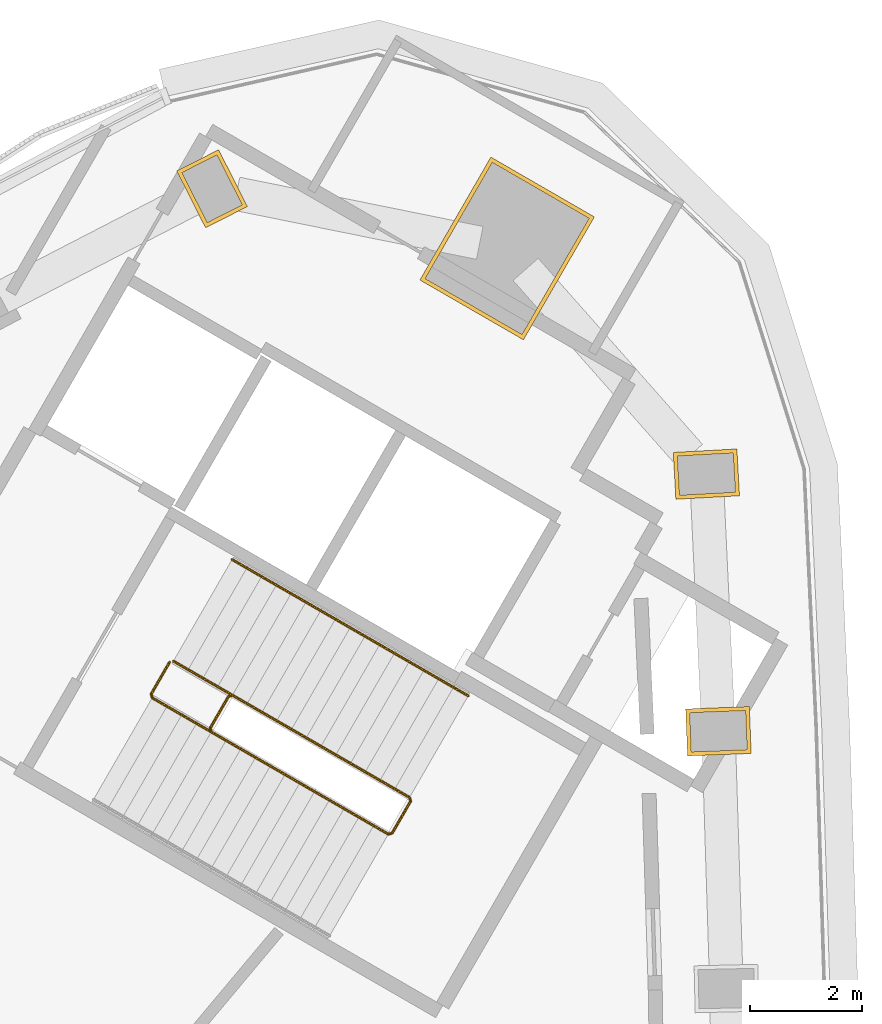
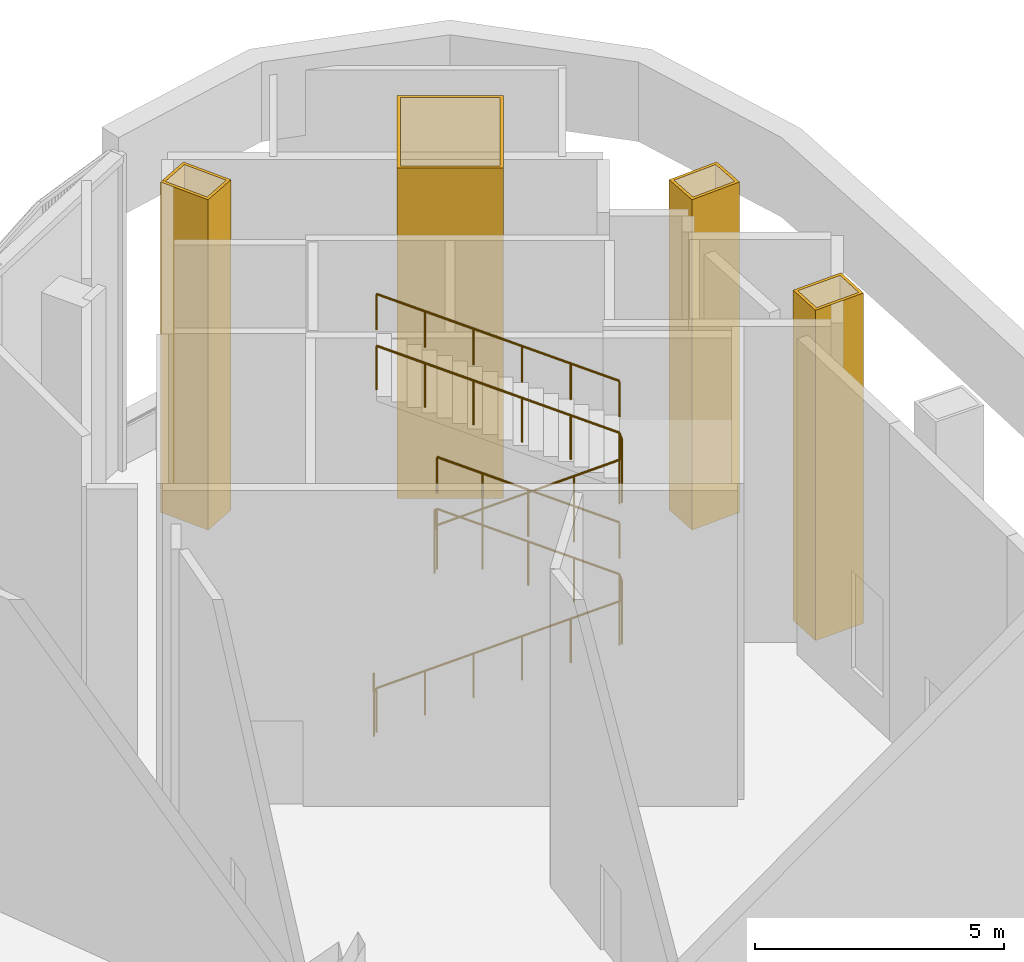
# One storey, part 11 of 11: 4 coverings, 3 railings.
"""IFC4 building model written with IfcOpenShell, lengths in metres."""

from ifc_helpers import new_model, si_unit, direction, frame, frame_2d, origin, origin_2d, place, context, subcontext, project, spatial, rectangle, circle, extrude, source, transform, mapped, material, layer, layer_set, type_object, element, save


model = new_model("IFC4")

# Units and contexts
model_context = context("Model", 3, precision=1e-05, world=origin(), true_north=direction((0.0, 1.0)))
body_context = subcontext(model_context, "Body", "Model", "MODEL_VIEW")
ifc_project = project(units=[si_unit("LENGTHUNIT", "METRE"), si_unit("AREAUNIT", "SQUARE_METRE"), si_unit("VOLUMEUNIT", "CUBIC_METRE"), si_unit("PLANEANGLEUNIT", "RADIAN"), si_unit("MASSUNIT", "GRAM", prefix="KILO")], contexts=[model_context])

# Site, building, storey
site_placement = place(None, origin())
site = spatial("IfcSite", under=ifc_project, at=site_placement, CompositionType="ELEMENT")
building_placement = place(site_placement, origin())
building = spatial("IfcBuilding", under=site, at=building_placement, Name="Tamra Quay Hotel Tower", CompositionType="ELEMENT")
storey_placement = place(building_placement, frame((0.0, 0.0, 312.60009765625)))
storey = spatial("IfcBuildingStorey", under=building, at=storey_placement, Name="L78", CompositionType="ELEMENT", Elevation=312.60009765625)

# Railings
ifc_material_1 = material(Name="Stair guard 1100")
railing_type_1 = type_object("IfcRailingType", Name="Stair guard 1100", PredefinedType="GUARDRAIL", material=ifc_material_1)
railing_1_placement = place(storey_placement, frame((5.595458984375, 12.751953125, 0.0)))
element("IfcRailing", 1, at=railing_1_placement, inside=storey, type_object=railing_type_1, Name="GR", PredefinedType="GUARDRAIL", context=body_context, shape_type="SweptSolid", body=[
    extrude(circle(Radius=0.02392578125, at=origin_2d()), frame((0.0, 0.0, 1.076171875), z_axis=(-0.499765215335, -0.866160914346, 0.0), x_axis=(0.866160914346, -0.499765215335, 0.0)), (0.0, 0.0, 1.0), 0.658935546875),
    extrude(circle(Radius=0.02392578125, at=origin_2d()), frame((-0.329345703125, -0.57080078125, 1.076171875), z_axis=(0.121413596357, -0.451658578447, 0.883890981476), x_axis=(0.965715946433, 0.259601060869, 0.0)), (0.0, 0.0, 1.0), 0.15087890625),
    extrude(circle(Radius=0.02392578125, at=origin_2d()), frame((-0.31103515625, -0.638916015625, 1.20947265625), z_axis=(0.793495266015, -0.458173609695, 0.40055237634), x_axis=(0.500040029196, 0.866002291684, 0.0)), (0.0, 0.0, 1.0), 5.325927734375),
    extrude(circle(Radius=0.02392578125, at=origin_2d()), frame((3.9150390625, -3.0791015625, 3.3427734375), z_axis=(0.965948051503, 0.258736085224, 0.0), x_axis=(-0.258736085224, 0.965948051503, 0.0)), (0.0, 0.0, 1.0), 0.07080078125),
    extrude(circle(Radius=0.02392578125, at=origin_2d()), frame((3.9833984375, -3.060791015625, 3.3427734375), z_axis=(0.500043078269, 0.866000531106, 0.0), x_axis=(-0.866000531106, 0.500043078269, 0.0)), (0.0, 0.0, 1.0), 0.6591796875),
    extrude(circle(Radius=0.02392578125, at=origin_2d()), frame((4.31298828125, -2.489990234375, 3.3427734375), z_axis=(-0.121324761295, 0.4529457755, 0.883244262225), x_axis=(-0.965948051503, -0.258736085224, 0.0)), (0.0, 0.0, 1.0), 0.15087890625),
    extrude(circle(Radius=0.02392578125, at=origin_2d()), frame((4.294677734375, -2.421630859375, 3.47607421875), z_axis=(-0.793524644253, 0.458096526895, 0.400582339863), x_axis=(-0.499963050397, -0.866046735597, 0.0)), (0.0, 0.0, 1.0), 3.994384765625),
    extrude(circle(Radius=0.02392578125, at=origin_2d()), frame((1.125, -0.591796875, 5.076171875), z_axis=(-0.965948051503, -0.258736085224, 0.0), x_axis=(0.258736085224, -0.965948051503, 0.0)), (0.0, 0.0, 1.0), 0.07080078125),
    extrude(circle(Radius=0.02392578125, at=origin_2d()), frame((1.056640625, -0.610107421875, 5.076171875), z_axis=(-0.500203519255, -0.865907869998, 0.0), x_axis=(0.865907869998, -0.500203519255, 0.0)), (0.0, 0.0, 1.0), 0.658935546875),
    extrude(circle(Radius=0.02392578125, at=origin_2d()), frame((0.72705078125, -1.1806640625, 5.076171875), z_axis=(0.121324761295, -0.4529457755, 0.883244262225), x_axis=(0.965948051503, 0.258736085224, 0.0)), (0.0, 0.0, 1.0), 0.15087890625),
    extrude(circle(Radius=0.02392578125, at=origin_2d()), frame((0.745361328125, -1.2490234375, 5.20947265625), z_axis=(0.793521851839, -0.458156034922, 0.400519810144), x_axis=(0.500013080017, 0.866017851902, 0.0)), (0.0, 0.0, 1.0), 3.994384765625),
    extrude(circle(Radius=0.02392578125, at=origin_2d()), frame((3.9150390625, -3.0791015625, 6.80908203125), z_axis=(0.965948051503, 0.258736085224, 0.0), x_axis=(-0.258736085224, 0.965948051503, 0.0)), (0.0, 0.0, 1.0), 0.07080078125),
    extrude(circle(Radius=0.02392578125, at=origin_2d()), frame((3.9833984375, -3.060791015625, 6.80908203125), z_axis=(0.500043078269, 0.866000531106, 0.0), x_axis=(-0.866000531106, 0.500043078269, 0.0)), (0.0, 0.0, 1.0), 0.6591796875),
    extrude(circle(Radius=0.02392578125, at=origin_2d()), frame((4.31298828125, -2.489990234375, 6.80908203125), z_axis=(-0.121324761295, 0.4529457755, 0.883244262225), x_axis=(-0.965948051503, -0.258736085224, 0.0)), (0.0, 0.0, 1.0), 0.15087890625),
    extrude(circle(Radius=0.02392578125, at=origin_2d()), frame((4.294677734375, -2.421630859375, 6.9423828125), z_axis=(-0.793514336887, 0.458112314878, 0.400584702793), x_axis=(-0.499980844995, -0.866036462649, 0.0)), (0.0, 0.0, 1.0), 5.326171875),
    extrude(circle(Radius=0.02099609375, at=origin_2d()), origin(), (0.0, 0.0, 1.0), 1.052001953125),
    extrude(circle(Radius=0.02099609375, at=origin_2d()), frame((-0.329345703125, -0.57080078125, 0.0)), (0.0, 0.0, 1.0), 1.052001953125),
    extrude(circle(Radius=0.02099609375, at=origin_2d()), frame((-0.31103515625, -0.638916015625, 0.13330078125)), (0.0, 0.0, 1.0), 1.052001953125),
    extrude(circle(Radius=0.02099609375, at=origin_2d()), frame((0.5341796875, -1.126953125, 0.56005859375)), (0.0, 0.0, 1.0), 1.052001953125),
    extrude(circle(Radius=0.02099609375, at=origin_2d()), frame((1.37939453125, -1.614990234375, 0.986572265625)), (0.0, 0.0, 1.0), 1.052001953125),
    extrude(circle(Radius=0.02099609375, at=origin_2d()), frame((2.224609375, -2.10302734375, 1.413330078125)), (0.0, 0.0, 1.0), 1.052001953125),
    extrude(circle(Radius=0.02099609375, at=origin_2d()), frame((3.06982421875, -2.591064453125, 1.83984375)), (0.0, 0.0, 1.0), 1.052001953125),
    extrude(circle(Radius=0.02099609375, at=origin_2d()), frame((3.9150390625, -3.0791015625, 2.2666015625)), (0.0, 0.0, 1.0), 1.052001953125),
    extrude(circle(Radius=0.02099609375, at=origin_2d()), frame((3.9833984375, -3.060791015625, 2.2666015625)), (0.0, 0.0, 1.0), 1.052001953125),
    extrude(circle(Radius=0.02099609375, at=origin_2d()), frame((4.31298828125, -2.489990234375, 2.2666015625)), (0.0, 0.0, 1.0), 1.052001953125),
    extrude(circle(Radius=0.02099609375, at=origin_2d()), frame((4.294677734375, -2.421630859375, 2.39990234375)), (0.0, 0.0, 1.0), 1.052001953125),
    extrude(circle(Radius=0.02099609375, at=origin_2d()), frame((3.502197265625, -1.964111328125, 2.7998046875)), (0.0, 0.0, 1.0), 1.052001953125),
    extrude(circle(Radius=0.02099609375, at=origin_2d()), frame((2.7099609375, -1.5068359375, 3.199951171875)), (0.0, 0.0, 1.0), 1.052001953125),
    extrude(circle(Radius=0.02099609375, at=origin_2d()), frame((1.91748046875, -1.04931640625, 3.60009765625)), (0.0, 0.0, 1.0), 1.052001953125),
    extrude(circle(Radius=0.02099609375, at=origin_2d()), frame((1.125, -0.591796875, 4.0)), (0.0, 0.0, 1.0), 1.052001953125),
    extrude(circle(Radius=0.02099609375, at=origin_2d()), frame((1.056640625, -0.610107421875, 4.0)), (0.0, 0.0, 1.0), 1.052001953125),
    extrude(circle(Radius=0.02099609375, at=origin_2d()), frame((0.72705078125, -1.1806640625, 4.0)), (0.0, 0.0, 1.0), 1.052001953125),
    extrude(circle(Radius=0.02099609375, at=origin_2d()), frame((0.745361328125, -1.2490234375, 4.13330078125)), (0.0, 0.0, 1.0), 1.052001953125),
    extrude(circle(Radius=0.02099609375, at=origin_2d()), frame((1.537841796875, -1.70654296875, 4.533203125)), (0.0, 0.0, 1.0), 1.052001953125),
    extrude(circle(Radius=0.02099609375, at=origin_2d()), frame((2.330078125, -2.1640625, 4.93310546875)), (0.0, 0.0, 1.0), 1.052001953125),
    extrude(circle(Radius=0.02099609375, at=origin_2d()), frame((3.12255859375, -2.62158203125, 5.333251953125)), (0.0, 0.0, 1.0), 1.052001953125),
    extrude(circle(Radius=0.02099609375, at=origin_2d()), frame((3.9150390625, -3.0791015625, 5.733154296875)), (0.0, 0.0, 1.0), 1.052001953125),
    extrude(circle(Radius=0.02099609375, at=origin_2d()), frame((3.9833984375, -3.060791015625, 5.733154296875)), (0.0, 0.0, 1.0), 1.052001953125),
    extrude(circle(Radius=0.02099609375, at=origin_2d()), frame((4.31298828125, -2.489990234375, 5.733154296875)), (0.0, 0.0, 1.0), 1.052001953125),
    extrude(circle(Radius=0.02099609375, at=origin_2d()), frame((4.294677734375, -2.421630859375, 5.866455078125)), (0.0, 0.0, 1.0), 1.052001953125),
    extrude(circle(Radius=0.02099609375, at=origin_2d()), frame((3.449462890625, -1.93359375, 6.293212890625)), (0.0, 0.0, 1.0), 1.052001953125),
    extrude(circle(Radius=0.02099609375, at=origin_2d()), frame((2.604248046875, -1.445556640625, 6.719970703125)), (0.0, 0.0, 1.0), 1.052001953125),
    extrude(circle(Radius=0.02099609375, at=origin_2d()), frame((1.7587890625, -0.957763671875, 7.146484375)), (0.0, 0.0, 1.0), 1.052001953125),
    extrude(circle(Radius=0.02099609375, at=origin_2d()), frame((0.91357421875, -0.4697265625, 7.5732421875)), (0.0, 0.0, 1.0), 1.052001953125),
    extrude(circle(Radius=0.02099609375, at=origin_2d()), frame((0.068359375, 0.018310546875, 8.0)), (0.0, 0.0, 1.0), 1.052001953125),
])
ifc_material_2 = material(Name="Stair handrail 900")
railing_type_2 = type_object("IfcRailingType", Name="Stair handrail 900", PredefinedType="HANDRAIL", material=ifc_material_2)
railing_2_placement = place(storey_placement, frame((10.93994140625, 12.14892578125, 2.39990234375)))
element("IfcRailing", 2, at=railing_2_placement, inside=storey, type_object=railing_type_2, Name="HR", PredefinedType="HANDRAIL", context=body_context, shape_type="SweptSolid", body=[
    extrude(circle(Radius=0.02392578125, at=origin_2d()), frame((0.0, 0.0, 0.8759765625), z_axis=(-0.793479788667, 0.458167038657, 0.400590551142), x_axis=(-0.500041965584, -0.866001173587, 0.0)), (0.0, 0.0, 1.0), 3.994384765625),
    extrude(circle(Radius=0.02099609375, at=origin_2d()), origin(), (0.0, 0.0, 1.0), 0.851806640625),
    extrude(circle(Radius=0.02099609375, at=origin_2d()), frame((-0.79248046875, 0.45751953125, 0.39990234375)), (0.0, 0.0, 1.0), 0.851806640625),
    extrude(circle(Radius=0.02099609375, at=origin_2d()), frame((-1.584716796875, 0.9150390625, 0.800048828125)), (0.0, 0.0, 1.0), 0.851806640625),
    extrude(circle(Radius=0.02099609375, at=origin_2d()), frame((-2.376953125, 1.37255859375, 1.2001953125)), (0.0, 0.0, 1.0), 0.851806640625),
    extrude(circle(Radius=0.02099609375, at=origin_2d()), frame((-3.16943359375, 1.830078125, 1.60009765625)), (0.0, 0.0, 1.0), 0.851806640625),
])
railing_3_placement = place(storey_placement, frame((10.93994140625, 12.14892578125, 5.866455078125)))
element("IfcRailing", 3, at=railing_3_placement, inside=storey, type_object=railing_type_2, Name="HR", PredefinedType="HANDRAIL", context=body_context, shape_type="SweptSolid", body=[
    extrude(circle(Radius=0.02392578125, at=origin_2d()), frame((0.0, 0.0, 0.8759765625), z_axis=(-0.793497360273, 0.458128978542, 0.400599273913), x_axis=(-0.500002508028, -0.866023955769, 0.0)), (0.0, 0.0, 1.0), 5.325927734375),
    extrude(circle(Radius=0.02099609375, at=origin_2d()), origin(), (0.0, 0.0, 1.0), 0.851806640625),
    extrude(circle(Radius=0.02099609375, at=origin_2d()), frame((-0.84521484375, 0.488037109375, 0.4267578125)), (0.0, 0.0, 1.0), 0.851806640625),
    extrude(circle(Radius=0.02099609375, at=origin_2d()), frame((-1.6904296875, 0.97607421875, 0.853515625)), (0.0, 0.0, 1.0), 0.851806640625),
    extrude(circle(Radius=0.02099609375, at=origin_2d()), frame((-2.53564453125, 1.4638671875, 1.280029296875)), (0.0, 0.0, 1.0), 0.851806640625),
    extrude(circle(Radius=0.02099609375, at=origin_2d()), frame((-3.380859375, 1.951904296875, 1.706787109375)), (0.0, 0.0, 1.0), 0.851806640625),
    extrude(circle(Radius=0.02099609375, at=origin_2d()), frame((-4.22607421875, 2.43994140625, 2.133544921875)), (0.0, 0.0, 1.0), 0.851806640625),
])

# Coverings
ifc_material_3 = material(Name="Precast concrete M60 terracotta-coloured pierced relief", Category="masonry")
ifc_layer = layer(ifc_material_3, 0.070068359375)
ifc_layer_set = layer_set([ifc_layer], Name="COLUMN RELIEF SLEEVE 70")
covering_type = type_object("IfcCoveringType", Name="COLUMN RELIEF SLEEVE 70", PredefinedType="CLADDING", material=ifc_layer_set)
shared_shape_1 = source(origin(), body_context, "Body", "SweptSolid", [
    extrude(rectangle(XDim=1.139892578125, YDim=0.070068359375, at=frame_2d((0.56982421875, 0.03515625))), frame((-0.570068359375, -0.419921875, 0.0)), (0.0, 0.0, 1.0), 8.10009765625),
    extrude(rectangle(XDim=1.139892578125, YDim=0.070068359375, at=frame_2d((0.56982421875, 0.03515625))), frame((-0.570068359375, 0.35009765625, 0.0)), (0.0, 0.0, 1.0), 8.10009765625),
    extrude(rectangle(XDim=0.070068359375, YDim=0.699951171875, at=frame_2d((0.03515625, 0.35009765625))), frame((-0.570068359375, -0.35009765625, 0.0)), (0.0, 0.0, 1.0), 8.10009765625),
    extrude(rectangle(XDim=0.070068359375, YDim=0.699951171875, at=frame_2d((0.03515625, 0.35009765625))), frame((0.5, -0.35009765625, 0.0)), (0.0, 0.0, 1.0), 8.10009765625),
])
for number, where, z_axis, x_axis, name in (
    (4, (15.418212890625, 11.51513671875, -0.35009765625), (0.0, 0.0, 1.0), (0.999251212442, 0.03869127076, 0.0), "Column relief sleeve COL-C6E07-L78"),
    (5, (15.202392578125, 16.116943359375, -0.35009765625), (0.0, 0.0, 1.0), (0.998490919119, 0.05491706873, 0.0), "Column relief sleeve COL-C6E08-L78"),
    (6, (6.3564453125, 21.22412109375, -0.35009765625), (0.0, 0.0, 1.0), (-0.451685882938, 0.89217703577, 0.0), "Column relief sleeve COL-C6NW01-L78"),
):
    element("IfcCovering", number, at=place(storey_placement, frame(where, z_axis=z_axis, x_axis=x_axis)), inside=storey, type_object=covering_type, Name=name, PredefinedType="CLADDING", context=body_context, shape_type="MappedRepresentation", body=[
        mapped(shared_shape_1, transform((0.0, 0.0, 0.0), scale=1.0)),
    ])
shared_shape_2 = source(origin(), body_context, "Body", "SweptSolid", [
    extrude(rectangle(XDim=2.5400390625, YDim=0.070068359375, at=frame_2d((1.27001953125, 0.03515625))), frame((-1.27001953125, -1.070068359375, 0.0)), (0.0, 0.0, 1.0), 8.10009765625),
    extrude(rectangle(XDim=2.5400390625, YDim=0.070068359375, at=frame_2d((1.27001953125, 0.03515625))), frame((-1.27001953125, 1.0, 0.0)), (0.0, 0.0, 1.0), 8.10009765625),
    extrude(rectangle(XDim=0.070068359375, YDim=2.0, at=frame_2d((0.03515625, 1.0))), frame((-1.27001953125, -1.0, 0.0)), (0.0, 0.0, 1.0), 8.10009765625),
    extrude(rectangle(XDim=0.070068359375, YDim=2.0, at=frame_2d((0.03515625, 1.0))), frame((1.199951171875, -1.0, 0.0)), (0.0, 0.0, 1.0), 8.10009765625),
])
covering_placement = place(storey_placement, frame((11.63671875, 20.1552734375, -0.35009765625), z_axis=(0.0, 0.0, 1.0), x_axis=(0.5, 0.866025403784, 0.0)))
element("IfcCovering", 7, at=covering_placement, inside=storey, type_object=covering_type, Name="Column relief sleeve COL-M6NE-L78", PredefinedType="CLADDING", context=body_context, shape_type="MappedRepresentation", body=[
    mapped(shared_shape_2, transform((0.0, 0.0, 0.0), scale=1.0)),
])

save(model, "model.ifc")
